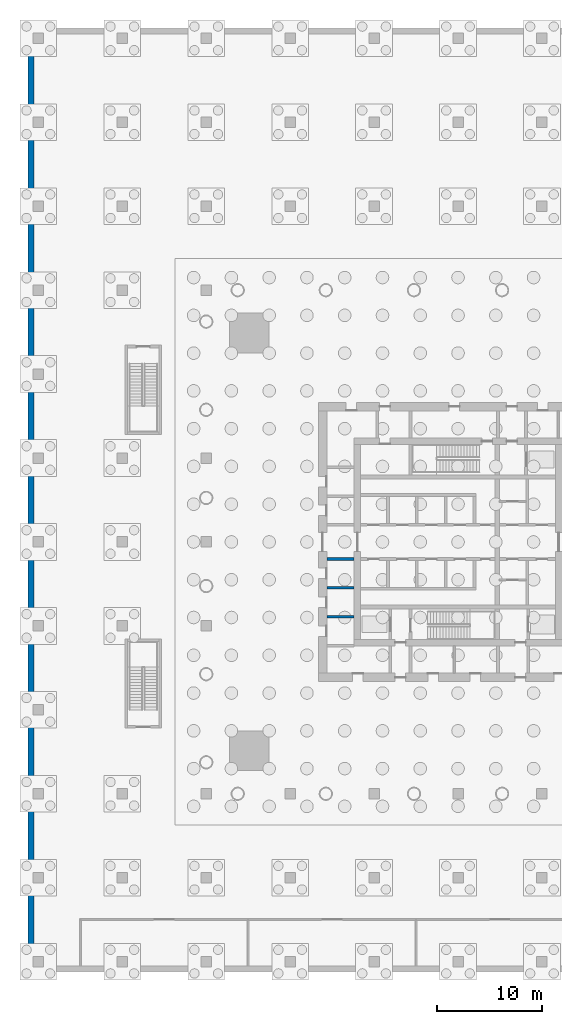
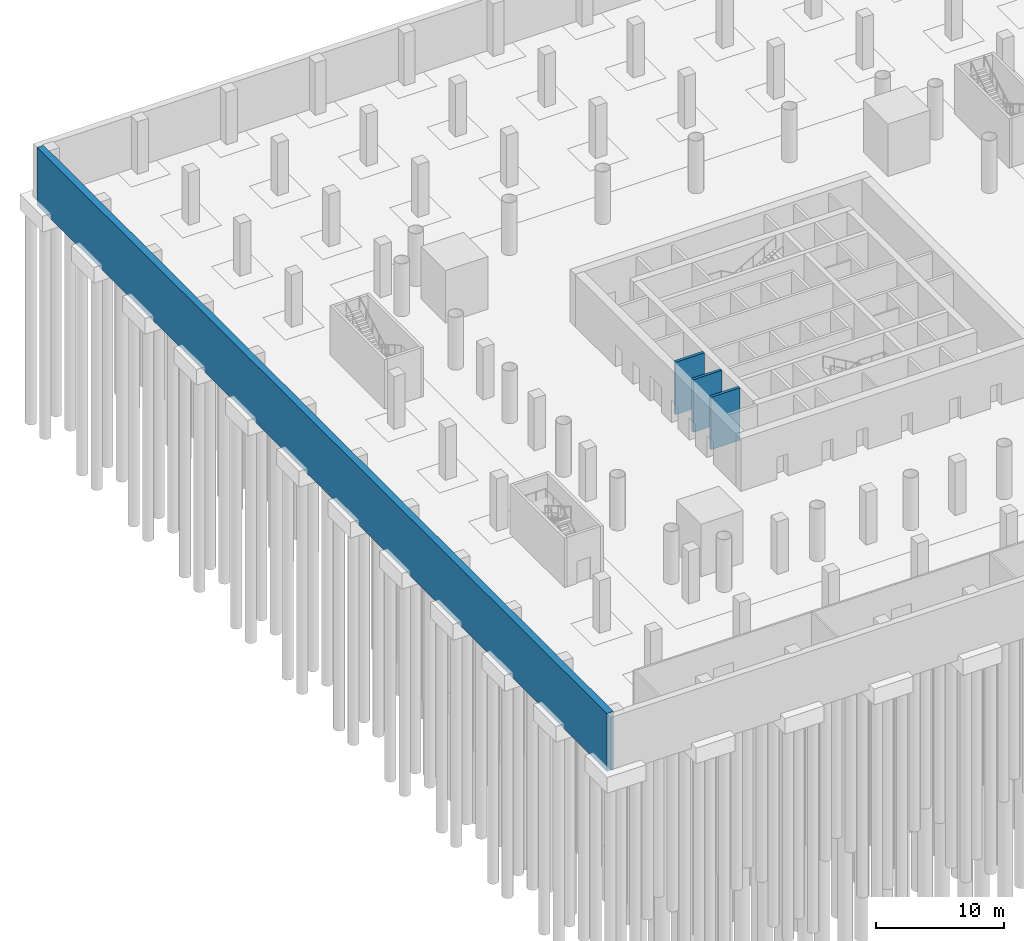
# One storey, part 11 of 24: 4 walls.
"""IFC4 building model written with IfcOpenShell, lengths in metres."""

from ifc_helpers import new_model, si_unit, direction, frame, frame_2d, origin, place, context, subcontext, project, spatial, rectangle, extrude, material, layer, layer_set, type_object, element, save


model = new_model("IFC4")

# Units and contexts
model_context = context("Model", 3, precision=1e-05, world=origin(), true_north=direction((0.0, 1.0)))
body_context = subcontext(model_context, "Body", "Model", "MODEL_VIEW")
ifc_project = project(units=[si_unit("LENGTHUNIT", "METRE"), si_unit("AREAUNIT", "SQUARE_METRE"), si_unit("VOLUMEUNIT", "CUBIC_METRE"), si_unit("PLANEANGLEUNIT", "RADIAN"), si_unit("MASSUNIT", "GRAM", prefix="KILO")], contexts=[model_context])

# Site, building, storey
site_placement = place(None, origin())
site = spatial("IfcSite", under=ifc_project, at=site_placement, CompositionType="ELEMENT")
building_placement = place(site_placement, origin())
building = spatial("IfcBuilding", under=site, at=building_placement, Name="Ostroluk Exchange", CompositionType="ELEMENT")
storey_placement = place(building_placement, frame((0.0, 0.0, -10.0)))
storey = spatial("IfcBuildingStorey", under=building, at=storey_placement, Name="B2", CompositionType="ELEMENT", Elevation=-10.0)

# Walls
ifc_material_1 = material(Name="Concrete C35/45", Category="concrete")
ifc_layer_1 = layer(ifc_material_1, 0.60009765625)
ifc_layer_set_1 = layer_set([ifc_layer_1], Name="Basement retaining wall 600")
wall_type_1 = type_object("IfcWallType", Name="Basement retaining wall 600", PredefinedType="USERDEFINED", material=ifc_layer_set_1)
wall_placement = place(storey_placement, frame((4.300048828125, 5.60009765625, -0.5), z_axis=(0.0, 0.0, 1.0), x_axis=(0.0, 1.0, 0.0)))
element("IfcWall", 1, at=wall_placement, inside=storey, type_object=wall_type_1, Name="Retaining wall B2 W", ObjectType="RETAINING WALL", PredefinedType="USERDEFINED", context=body_context, shape_type="SweptSolid", body=[
    extrude(rectangle(XDim=88.7998046875, YDim=0.60009765625, at=frame_2d((44.39990234375, 0.0))), origin(), (0.0, 0.0, 1.0), 5.5),
])
ifc_material_2 = material(Name="Concrete C40/50", Category="concrete")
ifc_layer_2 = layer(ifc_material_2, 0.25)
ifc_layer_set_2 = layer_set([ifc_layer_2], Name="Core shaft wall 250")
wall_type_2 = type_object("IfcWallType", Name="Core shaft wall 250", PredefinedType="SHEAR", material=ifc_layer_set_2)
for number, where, z_axis, x_axis, name in (
    (2, (32.5, 38.875, 0.0), (0.0, 0.0, 1.0), (1.0, 0.0, 0.0), "Lift shaft wall"),
    (3, (32.5, 41.625, 0.0), (0.0, 0.0, 1.0), (1.0, 0.0, 0.0), "Lift shaft wall"),
    (4, (32.5, 44.375, 0.0), (0.0, 0.0, 1.0), (1.0, 0.0, 0.0), "Lift shaft wall"),
):
    element("IfcWall", number, at=place(storey_placement, frame(where, z_axis=z_axis, x_axis=x_axis)), inside=storey, type_object=wall_type_2, Name=name, PredefinedType="SHEAR", context=body_context, shape_type="SweptSolid", body=[
        extrude(rectangle(XDim=2.60009765625, YDim=0.25, at=frame_2d((1.300048828125, 0.0))), origin(), (0.0, 0.0, 1.0), 5.0),
    ])

save(model, "model.ifc")
